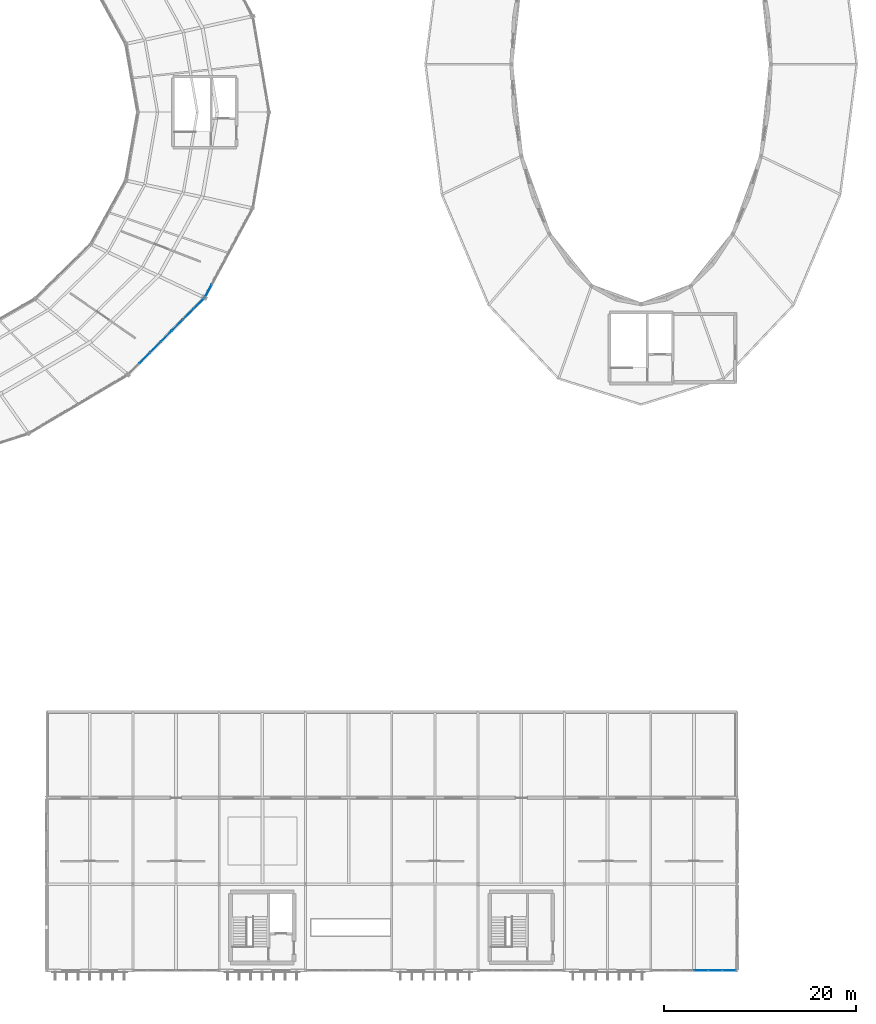
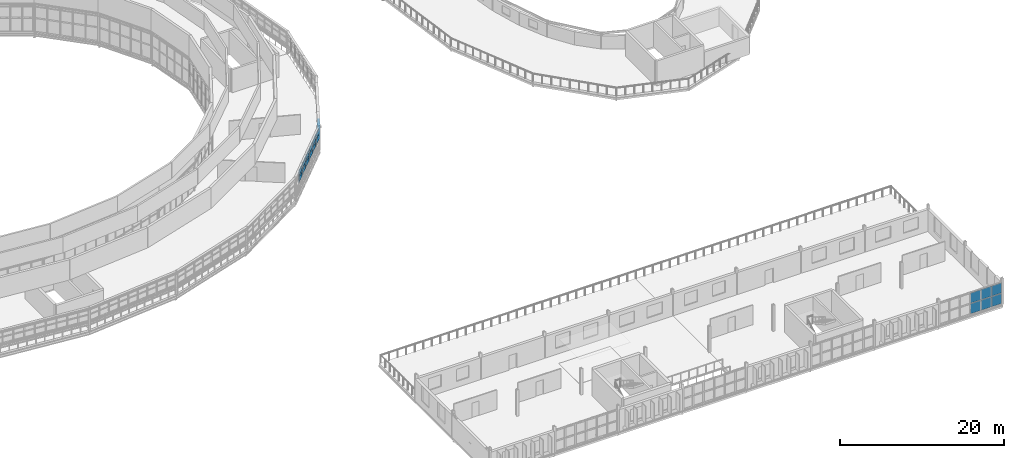
# One storey, part 87 of 123: 20 plates, 3 elements without a shape of their own.
"""IFC4 building model written with IfcOpenShell, lengths in metres."""

from ifc_helpers import new_model, si_unit, direction, frame, origin, origin_2d, place, context, subcontext, project, spatial, rectangle, extrude, material, layer, layer_set, type_object, element, aggregate, save


model = new_model("IFC4")

# Units and contexts
model_context = context("Model", 3, precision=1e-05, world=origin(), true_north=direction((0.0, 1.0)))
body_context = subcontext(model_context, "Body", "Model", "MODEL_VIEW")
ifc_project = project(units=[si_unit("LENGTHUNIT", "METRE"), si_unit("AREAUNIT", "SQUARE_METRE"), si_unit("VOLUMEUNIT", "CUBIC_METRE"), si_unit("PLANEANGLEUNIT", "RADIAN"), si_unit("MASSUNIT", "GRAM", prefix="KILO")], contexts=[model_context])

# Site, building, storey
site_placement = place(None, origin())
site = spatial("IfcSite", under=ifc_project, at=site_placement, CompositionType="ELEMENT")
building_placement = place(site_placement, origin())
building = spatial("IfcBuilding", under=site, at=building_placement, Name="Kildeholm Park Wholesale Market", CompositionType="ELEMENT")
storey_placement = place(building_placement, frame((0.0, 0.0, 9.60009765625)))
storey = spatial("IfcBuildingStorey", under=building, at=storey_placement, Name="L02", CompositionType="ELEMENT", Elevation=9.60009765625)

# Curtain wall, plates
ifc_material_1 = material(Name="Anodised aluminium and low-E double-glazed glass", Category="aluminium")
curtain_wall_type_1 = type_object("IfcCurtainWallType", Name="Park wing thermally broken curtain wall CW-03", PredefinedType="NOTDEFINED", material=ifc_material_1)
curtain_wall_1_placement = place(storey_placement, origin())
curtain_wall_1 = element("IfcCurtainWall", 1, at=curtain_wall_1_placement, inside=storey, type_object=curtain_wall_type_1, Name="Curtain wall CW-V5E-L02-S-08 CW-0158", PredefinedType="NOTDEFINED")
ifc_material_2 = material(Name="Triple-glazed solar-control glass", Category="glass")
ifc_layer_1 = layer(ifc_material_2, 0.035888671875)
ifc_layer_set_1 = layer_set([ifc_layer_1], Name="Triple-glazed solar-control glass")
plate_type_1 = type_object("IfcPlateType", Name="Curtain-wall panel CWP-2 36 mm", PredefinedType="CURTAIN_PANEL", material=ifc_layer_set_1)
plate_1_placement = place(storey_placement, frame((194.243408203125, 0.0, 0.07470703125), z_axis=(0.0, 0.0, 1.0), x_axis=(1.0, 0.0, 0.0)))
plate_1 = element("IfcPlate", 2, at=plate_1_placement, type_object=plate_type_1, Name="CW-03 panel 4.1 PLT-2310", PredefinedType="CURTAIN_PANEL", context=body_context, shape_type="SweptSolid", body=[
    extrude(rectangle(XDim=1.41162109375, YDim=0.035888671875, at=origin_2d()), origin(), (0.0, 0.0, 1.0), 1.512451171875),
])
plate_2_placement = place(storey_placement, frame((194.243408203125, 0.0, 1.66259765625), z_axis=(0.0, 0.0, 1.0), x_axis=(1.0, 0.0, 0.0)))
plate_2 = element("IfcPlate", 3, at=plate_2_placement, type_object=plate_type_1, Name="CW-03 panel 4.2 PLT-2311", PredefinedType="CURTAIN_PANEL", context=body_context, shape_type="SweptSolid", body=[
    extrude(rectangle(XDim=1.41162109375, YDim=0.035888671875, at=origin_2d()), origin(), (0.0, 0.0, 1.0), 1.512451171875),
])
plate_3_placement = place(storey_placement, frame((195.72998046875, 0.0, 0.07470703125), z_axis=(0.0, 0.0, 1.0), x_axis=(1.0, 0.0, 0.0)))
plate_3 = element("IfcPlate", 4, at=plate_3_placement, type_object=plate_type_1, Name="CW-03 panel 5.1 PLT-2312", PredefinedType="CURTAIN_PANEL", context=body_context, shape_type="SweptSolid", body=[
    extrude(rectangle(XDim=1.41162109375, YDim=0.035888671875, at=origin_2d()), origin(), (0.0, 0.0, 1.0), 1.512451171875),
])
plate_4_placement = place(storey_placement, frame((195.72998046875, 0.0, 1.66259765625), z_axis=(0.0, 0.0, 1.0), x_axis=(1.0, 0.0, 0.0)))
plate_4 = element("IfcPlate", 5, at=plate_4_placement, type_object=plate_type_1, Name="CW-03 panel 5.2 PLT-2313", PredefinedType="CURTAIN_PANEL", context=body_context, shape_type="SweptSolid", body=[
    extrude(rectangle(XDim=1.41162109375, YDim=0.035888671875, at=origin_2d()), origin(), (0.0, 0.0, 1.0), 1.512451171875),
])
plate_5_placement = place(storey_placement, frame((197.197998046875, 0.0, 0.07470703125), z_axis=(0.0, 0.0, 1.0), x_axis=(1.0, 0.0, 0.0)))
plate_5 = element("IfcPlate", 6, at=plate_5_placement, type_object=plate_type_1, Name="CW-03 panel 6.1 PLT-2314", PredefinedType="CURTAIN_PANEL", context=body_context, shape_type="SweptSolid", body=[
    extrude(rectangle(XDim=1.374267578125, YDim=0.035888671875, at=origin_2d()), origin(), (0.0, 0.0, 1.0), 1.512451171875),
])
plate_6_placement = place(storey_placement, frame((197.197998046875, 0.0, 1.66259765625), z_axis=(0.0, 0.0, 1.0), x_axis=(1.0, 0.0, 0.0)))
plate_6 = element("IfcPlate", 7, at=plate_6_placement, type_object=plate_type_1, Name="CW-03 panel 6.2 PLT-2315", PredefinedType="CURTAIN_PANEL", context=body_context, shape_type="SweptSolid", body=[
    extrude(rectangle(XDim=1.374267578125, YDim=0.035888671875, at=origin_2d()), origin(), (0.0, 0.0, 1.0), 1.512451171875),
])
aggregate(curtain_wall_1, [plate_1, plate_2, plate_3, plate_4, plate_5, plate_6])

curtain_wall_type_2 = type_object("IfcCurtainWallType", Name="Clerestory daylight stick curtain wall CW-02", PredefinedType="NOTDEFINED", material=ifc_material_1)
curtain_wall_2_placement = place(storey_placement, origin())
curtain_wall_2 = element("IfcCurtainWall", 8, at=curtain_wall_2_placement, inside=storey, type_object=curtain_wall_type_2, Name="Curtain wall CW-V1-CL-21 CW-0105", PredefinedType="NOTDEFINED")
ifc_material_3 = material(Name="Fritted solar-control clerestory glass", Category="glass")
ifc_layer_2 = layer(ifc_material_3, 0.031982421875)
ifc_layer_set_2 = layer_set([ifc_layer_2], Name="Fritted solar-control clerestory glass")
plate_type_2 = type_object("IfcPlateType", Name="Curtain-wall panel CWP-4 32 mm", PredefinedType="CURTAIN_PANEL", material=ifc_layer_set_2)
plate_7_placement = place(storey_placement, frame((136.227294921875, 63.865478515625, 1.40966796875), z_axis=(0.0, 0.0, 1.0), x_axis=(0.705412692399, 0.708796820959, 0.0)))
plate_7 = element("IfcPlate", 9, at=plate_7_placement, type_object=plate_type_2, Name="CW-02 panel 2.1 PLT-1578", PredefinedType="CURTAIN_PANEL", context=body_context, shape_type="SweptSolid", body=[
    extrude(rectangle(XDim=1.544189453125, YDim=0.031982421875, at=origin_2d()), origin(), (0.0, 0.0, 1.0), 0.860107421875),
])
plate_8_placement = place(storey_placement, frame((136.227294921875, 63.865478515625, 2.330078125), z_axis=(0.0, 0.0, 1.0), x_axis=(0.705412692399, 0.708796820959, 0.0)))
plate_8 = element("IfcPlate", 10, at=plate_8_placement, type_object=plate_type_2, Name="CW-02 panel 2.2 PLT-1579", PredefinedType="CURTAIN_PANEL", context=body_context, shape_type="SweptSolid", body=[
    extrude(rectangle(XDim=1.544189453125, YDim=0.031982421875, at=origin_2d()), origin(), (0.0, 0.0, 1.0), 0.860107421875),
])
plate_9_placement = place(storey_placement, frame((137.35888671875, 65.00244140625, 1.40966796875), z_axis=(0.0, 0.0, 1.0), x_axis=(0.705412692399, 0.708796820959, 0.0)))
plate_9 = element("IfcPlate", 11, at=plate_9_placement, type_object=plate_type_2, Name="CW-02 panel 3.1 PLT-1580", PredefinedType="CURTAIN_PANEL", context=body_context, shape_type="SweptSolid", body=[
    extrude(rectangle(XDim=1.544189453125, YDim=0.031982421875, at=origin_2d()), origin(), (0.0, 0.0, 1.0), 0.860107421875),
])
plate_10_placement = place(storey_placement, frame((137.35888671875, 65.00244140625, 2.330078125), z_axis=(0.0, 0.0, 1.0), x_axis=(0.705412692399, 0.708796820959, 0.0)))
plate_10 = element("IfcPlate", 12, at=plate_10_placement, type_object=plate_type_2, Name="CW-02 panel 3.2 PLT-1581", PredefinedType="CURTAIN_PANEL", context=body_context, shape_type="SweptSolid", body=[
    extrude(rectangle(XDim=1.544189453125, YDim=0.031982421875, at=origin_2d()), origin(), (0.0, 0.0, 1.0), 0.860107421875),
])
plate_11_placement = place(storey_placement, frame((138.490478515625, 66.139404296875, 1.40966796875), z_axis=(0.0, 0.0, 1.0), x_axis=(0.705412692399, 0.708796820959, 0.0)))
plate_11 = element("IfcPlate", 13, at=plate_11_placement, type_object=plate_type_2, Name="CW-02 panel 4.1 PLT-1582", PredefinedType="CURTAIN_PANEL", context=body_context, shape_type="SweptSolid", body=[
    extrude(rectangle(XDim=1.544189453125, YDim=0.031982421875, at=origin_2d()), origin(), (0.0, 0.0, 1.0), 0.860107421875),
])
plate_12_placement = place(storey_placement, frame((138.490478515625, 66.139404296875, 2.330078125), z_axis=(0.0, 0.0, 1.0), x_axis=(0.705412692399, 0.708796820959, 0.0)))
plate_12 = element("IfcPlate", 14, at=plate_12_placement, type_object=plate_type_2, Name="CW-02 panel 4.2 PLT-1583", PredefinedType="CURTAIN_PANEL", context=body_context, shape_type="SweptSolid", body=[
    extrude(rectangle(XDim=1.544189453125, YDim=0.031982421875, at=origin_2d()), origin(), (0.0, 0.0, 1.0), 0.860107421875),
])
plate_13_placement = place(storey_placement, frame((139.6220703125, 67.276611328125, 1.40966796875), z_axis=(0.0, 0.0, 1.0), x_axis=(0.705412692399, 0.708796820959, 0.0)))
plate_13 = element("IfcPlate", 15, at=plate_13_placement, type_object=plate_type_2, Name="CW-02 panel 5.1 PLT-1584", PredefinedType="CURTAIN_PANEL", context=body_context, shape_type="SweptSolid", body=[
    extrude(rectangle(XDim=1.544189453125, YDim=0.031982421875, at=origin_2d()), origin(), (0.0, 0.0, 1.0), 0.860107421875),
])
plate_14_placement = place(storey_placement, frame((139.6220703125, 67.276611328125, 2.330078125), z_axis=(0.0, 0.0, 1.0), x_axis=(0.705412692399, 0.708796820959, 0.0)))
plate_14 = element("IfcPlate", 16, at=plate_14_placement, type_object=plate_type_2, Name="CW-02 panel 5.2 PLT-1585", PredefinedType="CURTAIN_PANEL", context=body_context, shape_type="SweptSolid", body=[
    extrude(rectangle(XDim=1.544189453125, YDim=0.031982421875, at=origin_2d()), origin(), (0.0, 0.0, 1.0), 0.860107421875),
])
plate_15_placement = place(storey_placement, frame((140.753662109375, 68.41357421875, 1.40966796875), z_axis=(0.0, 0.0, 1.0), x_axis=(0.705412692399, 0.708796820959, 0.0)))
plate_15 = element("IfcPlate", 17, at=plate_15_placement, type_object=plate_type_2, Name="CW-02 panel 6.1 PLT-1586", PredefinedType="CURTAIN_PANEL", context=body_context, shape_type="SweptSolid", body=[
    extrude(rectangle(XDim=1.544189453125, YDim=0.031982421875, at=origin_2d()), origin(), (0.0, 0.0, 1.0), 0.860107421875),
])
plate_16_placement = place(storey_placement, frame((140.753662109375, 68.41357421875, 2.330078125), z_axis=(0.0, 0.0, 1.0), x_axis=(0.705412692399, 0.708796820959, 0.0)))
plate_16 = element("IfcPlate", 18, at=plate_16_placement, type_object=plate_type_2, Name="CW-02 panel 6.2 PLT-1587", PredefinedType="CURTAIN_PANEL", context=body_context, shape_type="SweptSolid", body=[
    extrude(rectangle(XDim=1.544189453125, YDim=0.031982421875, at=origin_2d()), origin(), (0.0, 0.0, 1.0), 0.860107421875),
])
plate_17_placement = place(storey_placement, frame((141.87451171875, 69.539794921875, 1.40966796875), z_axis=(0.0, 0.0, 1.0), x_axis=(0.705412692399, 0.708796820959, 0.0)))
plate_17 = element("IfcPlate", 19, at=plate_17_placement, type_object=plate_type_2, Name="CW-02 panel 7.1 PLT-1588", PredefinedType="CURTAIN_PANEL", context=body_context, shape_type="SweptSolid", body=[
    extrude(rectangle(XDim=1.51416015625, YDim=0.031982421875, at=origin_2d()), origin(), (0.0, 0.0, 1.0), 0.860107421875),
])
plate_18_placement = place(storey_placement, frame((141.87451171875, 69.539794921875, 2.330078125), z_axis=(0.0, 0.0, 1.0), x_axis=(0.705412692399, 0.708796820959, 0.0)))
plate_18 = element("IfcPlate", 20, at=plate_18_placement, type_object=plate_type_2, Name="CW-02 panel 7.2 PLT-1589", PredefinedType="CURTAIN_PANEL", context=body_context, shape_type="SweptSolid", body=[
    extrude(rectangle(XDim=1.51416015625, YDim=0.031982421875, at=origin_2d()), origin(), (0.0, 0.0, 1.0), 0.860107421875),
])
aggregate(curtain_wall_2, [plate_7, plate_8, plate_9, plate_10, plate_11, plate_12, plate_13, plate_14, plate_15, plate_16, plate_17, plate_18])

curtain_wall_3_placement = place(storey_placement, origin())
curtain_wall_3 = element("IfcCurtainWall", 21, at=curtain_wall_3_placement, inside=storey, type_object=curtain_wall_type_2, Name="Curtain wall CW-V1-CL-22 CW-0110", PredefinedType="NOTDEFINED")
plate_19_placement = place(storey_placement, frame((142.861572265625, 70.85791015625, 1.40966796875), z_axis=(0.0, 0.0, 1.0), x_axis=(0.473339828092, 0.880879905062, 0.0)))
plate_19 = element("IfcPlate", 22, at=plate_19_placement, type_object=plate_type_2, Name="CW-02 panel 1.1 PLT-1636", PredefinedType="CURTAIN_PANEL", context=body_context, shape_type="SweptSolid", body=[
    extrude(rectangle(XDim=1.412353515625, YDim=0.031982421875, at=origin_2d()), origin(), (0.0, 0.0, 1.0), 0.860107421875),
])
plate_20_placement = place(storey_placement, frame((142.861572265625, 70.85791015625, 2.330078125), z_axis=(0.0, 0.0, 1.0), x_axis=(0.473339828092, 0.880879905062, 0.0)))
plate_20 = element("IfcPlate", 23, at=plate_20_placement, type_object=plate_type_2, Name="CW-02 panel 1.2 PLT-1637", PredefinedType="CURTAIN_PANEL", context=body_context, shape_type="SweptSolid", body=[
    extrude(rectangle(XDim=1.412353515625, YDim=0.031982421875, at=origin_2d()), origin(), (0.0, 0.0, 1.0), 0.860107421875),
])
aggregate(curtain_wall_3, [plate_19, plate_20])

save(model, "model.ifc")
